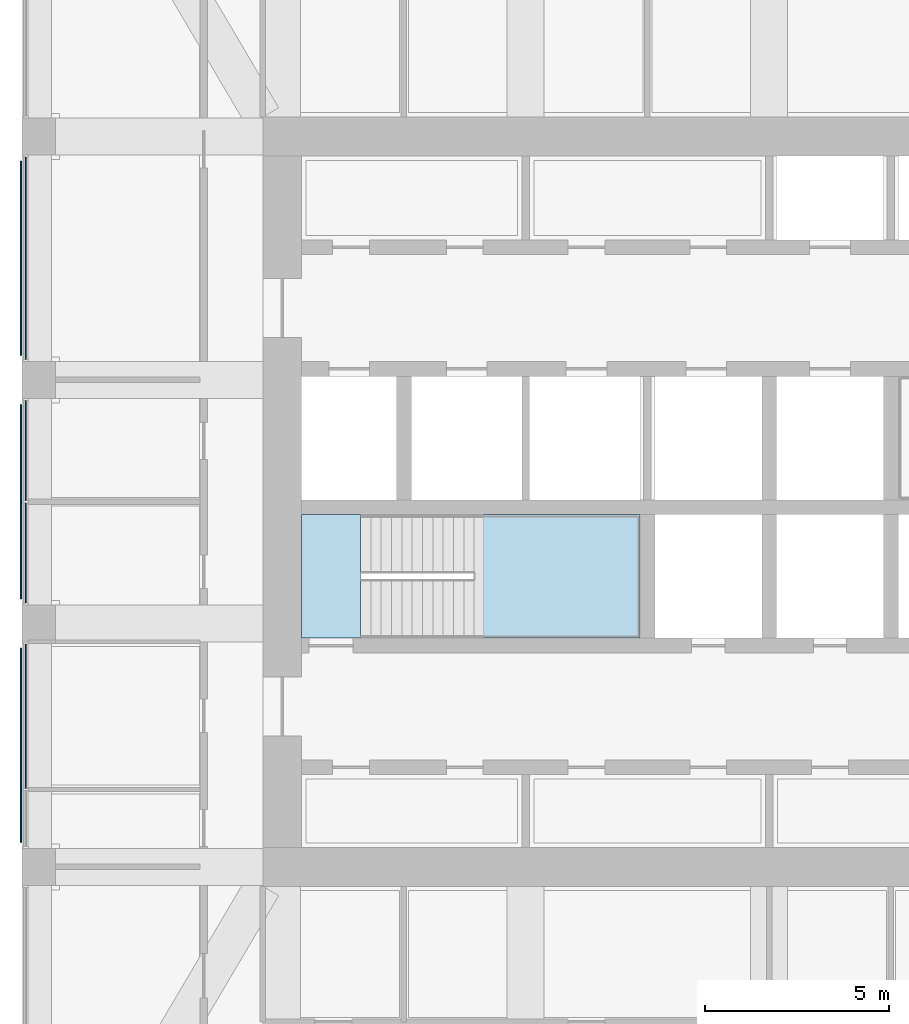
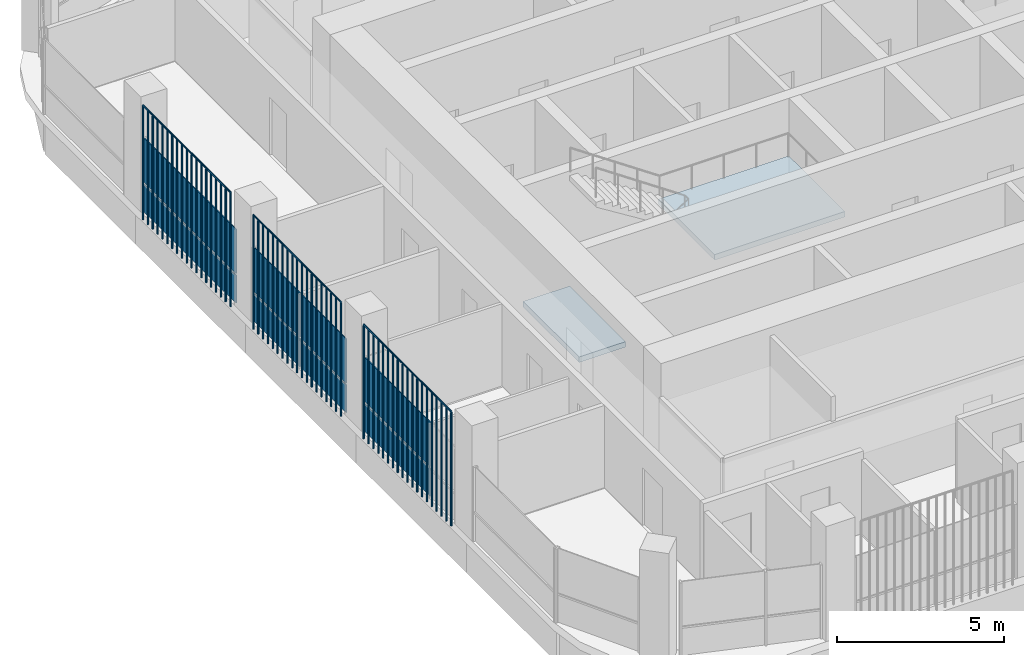
# One storey, part 9 of 21: 11 plates, 2 slabs, 4 elements without a shape of their own.
"""IFC4 building model written with IfcOpenShell, lengths in metres."""

from ifc_helpers import new_model, si_unit, direction, frame, origin, origin_2d, place, context, subcontext, project, spatial, polyline, rectangle, outline, extrude, material, layer, layer_set, type_object, element, aggregate, save


model = new_model("IFC4")

# Units and contexts
model_context = context("Model", 3, precision=1e-05, world=origin(), true_north=direction((0.0, 1.0)))
body_context = subcontext(model_context, "Body", "Model", "MODEL_VIEW")
ifc_project = project(units=[si_unit("LENGTHUNIT", "METRE"), si_unit("AREAUNIT", "SQUARE_METRE"), si_unit("VOLUMEUNIT", "CUBIC_METRE"), si_unit("PLANEANGLEUNIT", "RADIAN"), si_unit("MASSUNIT", "GRAM", prefix="KILO")], contexts=[model_context])

# Site, building, storey
site_placement = place(None, origin())
site = spatial("IfcSite", under=ifc_project, at=site_placement, CompositionType="ELEMENT")
building_placement = place(site_placement, origin())
building = spatial("IfcBuilding", under=site, at=building_placement, Name="Cobogo Forest Laboratory Tower", CompositionType="ELEMENT")
storey_placement = place(building_placement, frame((0.0, 0.0, 258.60009765625)))
storey = spatial("IfcBuildingStorey", under=building, at=storey_placement, Name="L59", CompositionType="ELEMENT", Elevation=258.60009765625)

# Curtain wall, plates
ifc_material_1 = material(Name="Aluminium curtain wall", Category="aluminium")
curtain_wall_type = type_object("IfcCurtainWallType", Name="CW-2 unitised curtain wall, solar control glazing, laboratory floors zones C and D", PredefinedType="USERDEFINED", material=ifc_material_1)
curtain_wall_1_placement = place(storey_placement, origin())
curtain_wall_1 = element("IfcCurtainWall", 1, at=curtain_wall_1_placement, inside=storey, type_object=curtain_wall_type, Name="Curtain wall 21 L59", ObjectType="UNITISED CURTAIN WALL", PredefinedType="USERDEFINED")
ifc_material_2 = material(Name="Solar control insulated glass", Category="glass")
ifc_layer_1 = layer(ifc_material_2, 0.031982421875)
ifc_layer_set_1 = layer_set([ifc_layer_1], Name="GP-2 solar control glass unit 32")
plate_type_1 = type_object("IfcPlateType", Name="GP-2 solar control glass unit 32", PredefinedType="CURTAIN_PANEL", material=ifc_layer_set_1)
plate_1_placement = place(storey_placement, frame((6.25, 29.699951171875, 0.0), z_axis=(0.0, 0.0, 1.0), x_axis=(0.0, -1.0, 0.0)))
plate_1 = element("IfcPlate", 2, at=plate_1_placement, type_object=plate_type_1, Name="CW-2 panel 1.1", PredefinedType="CURTAIN_PANEL", context=body_context, shape_type="SweptSolid", body=[
    extrude(rectangle(XDim=5.47998046875, YDim=0.031982421875, at=origin_2d()), origin(), (0.0, 0.0, 1.0), 1.02001953125),
])
plate_2_placement = place(storey_placement, frame((6.25, 29.699951171875, 1.079833984375), z_axis=(0.0, 0.0, 1.0), x_axis=(0.0, -1.0, 0.0)))
plate_2 = element("IfcPlate", 3, at=plate_2_placement, type_object=plate_type_1, Name="CW-2 panel 1.2", PredefinedType="CURTAIN_PANEL", context=body_context, shape_type="SweptSolid", body=[
    extrude(rectangle(XDim=5.47998046875, YDim=0.031982421875, at=origin_2d()), origin(), (0.0, 0.0, 1.0), 1.6201171875),
])
aggregate(curtain_wall_1, [plate_1, plate_2])

curtain_wall_2_placement = place(storey_placement, origin())
curtain_wall_2 = element("IfcCurtainWall", 4, at=curtain_wall_2_placement, inside=storey, type_object=curtain_wall_type, Name="Curtain wall 22 L59", ObjectType="UNITISED CURTAIN WALL", PredefinedType="USERDEFINED")
plate_3_placement = place(storey_placement, frame((6.25, 24.485107421875, 0.0), z_axis=(0.0, 0.0, 1.0), x_axis=(0.0, -1.0, 0.0)))
plate_3 = element("IfcPlate", 5, at=plate_3_placement, type_object=plate_type_1, Name="CW-2 panel 1.1", PredefinedType="CURTAIN_PANEL", context=body_context, shape_type="SweptSolid", body=[
    extrude(rectangle(XDim=2.7099609375, YDim=0.031982421875, at=origin_2d()), origin(), (0.0, 0.0, 1.0), 1.02001953125),
])
plate_4_placement = place(storey_placement, frame((6.25, 24.485107421875, 1.079833984375), z_axis=(0.0, 0.0, 1.0), x_axis=(0.0, -1.0, 0.0)))
plate_4 = element("IfcPlate", 6, at=plate_4_placement, type_object=plate_type_1, Name="CW-2 panel 1.2", PredefinedType="CURTAIN_PANEL", context=body_context, shape_type="SweptSolid", body=[
    extrude(rectangle(XDim=2.7099609375, YDim=0.031982421875, at=origin_2d()), origin(), (0.0, 0.0, 1.0), 1.6201171875),
])
plate_5_placement = place(storey_placement, frame((6.25, 21.715087890625, 0.0), z_axis=(0.0, 0.0, 1.0), x_axis=(0.0, -1.0, 0.0)))
plate_5 = element("IfcPlate", 7, at=plate_5_placement, type_object=plate_type_1, Name="CW-2 panel 2.1", PredefinedType="CURTAIN_PANEL", context=body_context, shape_type="SweptSolid", body=[
    extrude(rectangle(XDim=2.7099609375, YDim=0.031982421875, at=origin_2d()), origin(), (0.0, 0.0, 1.0), 1.02001953125),
])
plate_6_placement = place(storey_placement, frame((6.25, 21.715087890625, 1.079833984375), z_axis=(0.0, 0.0, 1.0), x_axis=(0.0, -1.0, 0.0)))
plate_6 = element("IfcPlate", 8, at=plate_6_placement, type_object=plate_type_1, Name="CW-2 panel 2.2", PredefinedType="CURTAIN_PANEL", context=body_context, shape_type="SweptSolid", body=[
    extrude(rectangle(XDim=2.7099609375, YDim=0.031982421875, at=origin_2d()), origin(), (0.0, 0.0, 1.0), 1.6201171875),
])
aggregate(curtain_wall_2, [plate_3, plate_4, plate_5, plate_6])

curtain_wall_3_placement = place(storey_placement, origin())
curtain_wall_3 = element("IfcCurtainWall", 9, at=curtain_wall_3_placement, inside=storey, type_object=curtain_wall_type, Name="Curtain wall 23 L59", ObjectType="UNITISED CURTAIN WALL", PredefinedType="USERDEFINED")
plate_7_placement = place(storey_placement, frame((6.25, 17.284912109375, 0.0), z_axis=(0.0, 0.0, 1.0), x_axis=(0.0, -1.0, 0.0)))
plate_7 = element("IfcPlate", 10, at=plate_7_placement, type_object=plate_type_1, Name="CW-2 panel 1.1", PredefinedType="CURTAIN_PANEL", context=body_context, shape_type="SweptSolid", body=[
    extrude(rectangle(XDim=3.909912109375, YDim=0.031982421875, at=origin_2d()), origin(), (0.0, 0.0, 1.0), 1.02001953125),
])
plate_8_placement = place(storey_placement, frame((6.25, 17.284912109375, 1.079833984375), z_axis=(0.0, 0.0, 1.0), x_axis=(0.0, -1.0, 0.0)))
plate_8 = element("IfcPlate", 11, at=plate_8_placement, type_object=plate_type_1, Name="CW-2 panel 1.2", PredefinedType="CURTAIN_PANEL", context=body_context, shape_type="SweptSolid", body=[
    extrude(rectangle(XDim=3.909912109375, YDim=0.031982421875, at=origin_2d()), origin(), (0.0, 0.0, 1.0), 1.6201171875),
])
aggregate(curtain_wall_3, [plate_7, plate_8])

# Stair, slabs
ifc_material_3 = material(Name="Precast concrete HA-40 (C40/50)", Category="concrete")
stair_type = type_object("IfcStairType", Name="ST24 exit stair 24 risers", PredefinedType="HALF_TURN_STAIR", material=ifc_material_3)
stair_placement = place(storey_placement, origin())
stair = element("IfcStair", 12, at=stair_placement, inside=storey, type_object=stair_type, Name="Stair 1 L59 to L60", PredefinedType="HALF_TURN_STAIR")
ifc_material_4 = material(Name="Concrete HA-40 (C40/50)", Category="concrete")
ifc_layer_2 = layer(ifc_material_4, 0.199951171875)
ifc_layer_set_2 = layer_set([ifc_layer_2], Name="SL stair landing 200")
slab_type = type_object("IfcSlabType", Name="SL stair landing 200", PredefinedType="LANDING", material=ifc_layer_set_2)
slab_1_placement = place(storey_placement, frame((0.0, 0.0, -0.2001953125)))
slab_1 = element("IfcSlab", 13, at=slab_1_placement, type_object=slab_type, Name="ST1 landing 1", PredefinedType="LANDING", context=body_context, shape_type="SweptSolid", body=[
    extrude(outline(polyline([(13.72509765625, 19.39990234375), (15.326904296875, 19.39990234375), (15.326904296875, 22.75), (13.72509765625, 22.75), (13.72509765625, 19.39990234375)])), origin(), (0.0, 0.0, 1.0), 0.2001953125),
])
slab_2_placement = place(storey_placement, frame((0.0, 0.0, 1.89990234375)))
slab_2 = element("IfcSlab", 14, at=slab_2_placement, type_object=slab_type, Name="ST1 landing 2", PredefinedType="LANDING", context=body_context, shape_type="SweptSolid", body=[
    extrude(outline(polyline([(18.403076171875, 19.39990234375), (22.89990234375, 19.39990234375), (22.89990234375, 22.75), (18.403076171875, 22.75), (18.403076171875, 19.39990234375)])), origin(), (0.0, 0.0, 1.0), 0.199951171875),
])
aggregate(stair, [slab_1, slab_2])

# Plates
ifc_material_5 = material(Name="Terracotta", Category="masonry")
plate_type_2 = type_object("IfcPlateType", Name="TB1 terracotta baguette screen", PredefinedType="USERDEFINED", material=ifc_material_5)
plate_9_placement = place(storey_placement, frame((6.1220703125, 13.88134765625, -0.150146484375)))
element("IfcPlate", 15, at=plate_9_placement, inside=storey, type_object=plate_type_2, Name="Baguette screen W1 L59", ObjectType="BAGUETTE SCREEN", PredefinedType="USERDEFINED", context=body_context, shape_type="SweptSolid", body=[
    extrude(outline(polyline([(0.02880859375, 0.011962890625), (0.011962890625, 0.02880859375), (-0.011962890625, 0.02880859375), (-0.02880859375, 0.011962890625), (-0.02880859375, -0.011962890625), (-0.011962890625, -0.02880859375), (0.011962890625, -0.02880859375), (0.02880859375, -0.011962890625), (0.02880859375, 0.011962890625)])), frame((0.0, 0.0, 4.168701171875), z_axis=(0.0, 1.0, 0.0), x_axis=(-1.0, 0.0, 0.0)), (0.0, 0.0, 1.0), 5.2373046875),
    extrude(outline(polyline([(0.02880859375, 0.011962890625), (0.011962890625, 0.02880859375), (-0.011962890625, 0.02880859375), (-0.02880859375, 0.011962890625), (-0.02880859375, -0.011962890625), (-0.011962890625, -0.02880859375), (0.011962890625, -0.02880859375), (0.02880859375, -0.011962890625), (0.02880859375, 0.011962890625)])), origin(), (0.0, 0.0, 1.0), 4.137451171875),
    extrude(outline(polyline([(0.02880859375, 0.011962890625), (0.011962890625, 0.02880859375), (-0.011962890625, 0.02880859375), (-0.02880859375, 0.011962890625), (-0.02880859375, -0.011962890625), (-0.011962890625, -0.02880859375), (0.011962890625, -0.02880859375), (0.02880859375, -0.011962890625), (0.02880859375, 0.011962890625)])), frame((0.0, 0.291015625, 0.0)), (0.0, 0.0, 1.0), 4.137451171875),
    extrude(outline(polyline([(0.02880859375, 0.011962890625), (0.011962890625, 0.02880859375), (-0.011962890625, 0.02880859375), (-0.02880859375, 0.011962890625), (-0.02880859375, -0.011962890625), (-0.011962890625, -0.02880859375), (0.011962890625, -0.02880859375), (0.02880859375, -0.011962890625), (0.02880859375, 0.011962890625)])), frame((0.0, 0.58203125, 0.0)), (0.0, 0.0, 1.0), 4.137451171875),
    extrude(outline(polyline([(0.02880859375, 0.011962890625), (0.011962890625, 0.02880859375), (-0.011962890625, 0.02880859375), (-0.02880859375, 0.011962890625), (-0.02880859375, -0.011962890625), (-0.011962890625, -0.02880859375), (0.011962890625, -0.02880859375), (0.02880859375, -0.011962890625), (0.02880859375, 0.011962890625)])), frame((0.0, 0.872802734375, 0.0)), (0.0, 0.0, 1.0), 4.137451171875),
    extrude(outline(polyline([(0.02880859375, 0.011962890625), (0.011962890625, 0.02880859375), (-0.011962890625, 0.02880859375), (-0.02880859375, 0.011962890625), (-0.02880859375, -0.011962890625), (-0.011962890625, -0.02880859375), (0.011962890625, -0.02880859375), (0.02880859375, -0.011962890625), (0.02880859375, 0.011962890625)])), frame((0.0, 1.163818359375, 0.0)), (0.0, 0.0, 1.0), 4.137451171875),
    extrude(outline(polyline([(0.02880859375, 0.011962890625), (0.011962890625, 0.02880859375), (-0.011962890625, 0.02880859375), (-0.02880859375, 0.011962890625), (-0.02880859375, -0.011962890625), (-0.011962890625, -0.02880859375), (0.011962890625, -0.02880859375), (0.02880859375, -0.011962890625), (0.02880859375, 0.011962890625)])), frame((0.0, 1.454833984375, 0.0)), (0.0, 0.0, 1.0), 4.137451171875),
    extrude(outline(polyline([(0.02880859375, 0.011962890625), (0.011962890625, 0.02880859375), (-0.011962890625, 0.02880859375), (-0.02880859375, 0.011962890625), (-0.02880859375, -0.011962890625), (-0.011962890625, -0.02880859375), (0.011962890625, -0.02880859375), (0.02880859375, -0.011962890625), (0.02880859375, 0.011962890625)])), frame((0.0, 1.745849609375, 0.0)), (0.0, 0.0, 1.0), 4.137451171875),
    extrude(outline(polyline([(0.02880859375, 0.011962890625), (0.011962890625, 0.02880859375), (-0.011962890625, 0.02880859375), (-0.02880859375, 0.011962890625), (-0.02880859375, -0.011962890625), (-0.011962890625, -0.02880859375), (0.011962890625, -0.02880859375), (0.02880859375, -0.011962890625), (0.02880859375, 0.011962890625)])), frame((0.0, 2.03662109375, 0.0)), (0.0, 0.0, 1.0), 4.137451171875),
    extrude(outline(polyline([(0.02880859375, 0.011962890625), (0.011962890625, 0.02880859375), (-0.011962890625, 0.02880859375), (-0.02880859375, 0.011962890625), (-0.02880859375, -0.011962890625), (-0.011962890625, -0.02880859375), (0.011962890625, -0.02880859375), (0.02880859375, -0.011962890625), (0.02880859375, 0.011962890625)])), frame((0.0, 2.32763671875, 0.0)), (0.0, 0.0, 1.0), 4.137451171875),
    extrude(outline(polyline([(0.02880859375, 0.011962890625), (0.011962890625, 0.02880859375), (-0.011962890625, 0.02880859375), (-0.02880859375, 0.011962890625), (-0.02880859375, -0.011962890625), (-0.011962890625, -0.02880859375), (0.011962890625, -0.02880859375), (0.02880859375, -0.011962890625), (0.02880859375, 0.011962890625)])), frame((0.0, 2.61865234375, 0.0)), (0.0, 0.0, 1.0), 4.137451171875),
    extrude(outline(polyline([(0.02880859375, 0.011962890625), (0.011962890625, 0.02880859375), (-0.011962890625, 0.02880859375), (-0.02880859375, 0.011962890625), (-0.02880859375, -0.011962890625), (-0.011962890625, -0.02880859375), (0.011962890625, -0.02880859375), (0.02880859375, -0.011962890625), (0.02880859375, 0.011962890625)])), frame((0.0, 2.90966796875, 0.0)), (0.0, 0.0, 1.0), 4.137451171875),
    extrude(outline(polyline([(0.02880859375, 0.011962890625), (0.011962890625, 0.02880859375), (-0.011962890625, 0.02880859375), (-0.02880859375, 0.011962890625), (-0.02880859375, -0.011962890625), (-0.011962890625, -0.02880859375), (0.011962890625, -0.02880859375), (0.02880859375, -0.011962890625), (0.02880859375, 0.011962890625)])), frame((0.0, 3.20068359375, 0.0)), (0.0, 0.0, 1.0), 4.137451171875),
    extrude(outline(polyline([(0.02880859375, 0.011962890625), (0.011962890625, 0.02880859375), (-0.011962890625, 0.02880859375), (-0.02880859375, 0.011962890625), (-0.02880859375, -0.011962890625), (-0.011962890625, -0.02880859375), (0.011962890625, -0.02880859375), (0.02880859375, -0.011962890625), (0.02880859375, 0.011962890625)])), frame((0.0, 3.491455078125, 0.0)), (0.0, 0.0, 1.0), 4.137451171875),
    extrude(outline(polyline([(0.02880859375, 0.011962890625), (0.011962890625, 0.02880859375), (-0.011962890625, 0.02880859375), (-0.02880859375, 0.011962890625), (-0.02880859375, -0.011962890625), (-0.011962890625, -0.02880859375), (0.011962890625, -0.02880859375), (0.02880859375, -0.011962890625), (0.02880859375, 0.011962890625)])), frame((0.0, 3.782470703125, 0.0)), (0.0, 0.0, 1.0), 4.137451171875),
    extrude(outline(polyline([(0.02880859375, 0.011962890625), (0.011962890625, 0.02880859375), (-0.011962890625, 0.02880859375), (-0.02880859375, 0.011962890625), (-0.02880859375, -0.011962890625), (-0.011962890625, -0.02880859375), (0.011962890625, -0.02880859375), (0.02880859375, -0.011962890625), (0.02880859375, 0.011962890625)])), frame((0.0, 4.073486328125, 0.0)), (0.0, 0.0, 1.0), 4.137451171875),
    extrude(outline(polyline([(0.02880859375, 0.011962890625), (0.011962890625, 0.02880859375), (-0.011962890625, 0.02880859375), (-0.02880859375, 0.011962890625), (-0.02880859375, -0.011962890625), (-0.011962890625, -0.02880859375), (0.011962890625, -0.02880859375), (0.02880859375, -0.011962890625), (0.02880859375, 0.011962890625)])), frame((0.0, 4.364501953125, 0.0)), (0.0, 0.0, 1.0), 4.137451171875),
    extrude(outline(polyline([(0.02880859375, 0.011962890625), (0.011962890625, 0.02880859375), (-0.011962890625, 0.02880859375), (-0.02880859375, 0.011962890625), (-0.02880859375, -0.011962890625), (-0.011962890625, -0.02880859375), (0.011962890625, -0.02880859375), (0.02880859375, -0.011962890625), (0.02880859375, 0.011962890625)])), frame((0.0, 4.6552734375, 0.0)), (0.0, 0.0, 1.0), 4.137451171875),
    extrude(outline(polyline([(0.02880859375, 0.011962890625), (0.011962890625, 0.02880859375), (-0.011962890625, 0.02880859375), (-0.02880859375, 0.011962890625), (-0.02880859375, -0.011962890625), (-0.011962890625, -0.02880859375), (0.011962890625, -0.02880859375), (0.02880859375, -0.011962890625), (0.02880859375, 0.011962890625)])), frame((0.0, 4.9462890625, 0.0)), (0.0, 0.0, 1.0), 4.137451171875),
    extrude(outline(polyline([(0.02880859375, 0.011962890625), (0.011962890625, 0.02880859375), (-0.011962890625, 0.02880859375), (-0.02880859375, 0.011962890625), (-0.02880859375, -0.011962890625), (-0.011962890625, -0.02880859375), (0.011962890625, -0.02880859375), (0.02880859375, -0.011962890625), (0.02880859375, 0.011962890625)])), frame((0.0, 5.2373046875, 0.0)), (0.0, 0.0, 1.0), 4.137451171875),
])
plate_10_placement = place(storey_placement, frame((6.1220703125, 20.481201171875, -0.150146484375)))
element("IfcPlate", 16, at=plate_10_placement, inside=storey, type_object=plate_type_2, Name="Baguette screen W2 L59", ObjectType="BAGUETTE SCREEN", PredefinedType="USERDEFINED", context=body_context, shape_type="SweptSolid", body=[
    extrude(outline(polyline([(0.02880859375, 0.011962890625), (0.011962890625, 0.02880859375), (-0.011962890625, 0.02880859375), (-0.02880859375, 0.011962890625), (-0.02880859375, -0.011962890625), (-0.011962890625, -0.02880859375), (0.011962890625, -0.02880859375), (0.02880859375, -0.011962890625), (0.02880859375, 0.011962890625)])), frame((0.0, 0.0, 4.168701171875), z_axis=(0.0, 1.0, 0.0), x_axis=(-1.0, 0.0, 0.0)), (0.0, 0.0, 1.0), 5.237548828125),
    extrude(outline(polyline([(0.02880859375, 0.011962890625), (0.011962890625, 0.02880859375), (-0.011962890625, 0.02880859375), (-0.02880859375, 0.011962890625), (-0.02880859375, -0.011962890625), (-0.011962890625, -0.02880859375), (0.011962890625, -0.02880859375), (0.02880859375, -0.011962890625), (0.02880859375, 0.011962890625)])), origin(), (0.0, 0.0, 1.0), 4.137451171875),
    extrude(outline(polyline([(0.02880859375, 0.011962890625), (0.011962890625, 0.02880859375), (-0.011962890625, 0.02880859375), (-0.02880859375, 0.011962890625), (-0.02880859375, -0.011962890625), (-0.011962890625, -0.02880859375), (0.011962890625, -0.02880859375), (0.02880859375, -0.011962890625), (0.02880859375, 0.011962890625)])), frame((0.0, 0.291015625, 0.0)), (0.0, 0.0, 1.0), 4.137451171875),
    extrude(outline(polyline([(0.02880859375, 0.011962890625), (0.011962890625, 0.02880859375), (-0.011962890625, 0.02880859375), (-0.02880859375, 0.011962890625), (-0.02880859375, -0.011962890625), (-0.011962890625, -0.02880859375), (0.011962890625, -0.02880859375), (0.02880859375, -0.011962890625), (0.02880859375, 0.011962890625)])), frame((0.0, 0.58203125, 0.0)), (0.0, 0.0, 1.0), 4.137451171875),
    extrude(outline(polyline([(0.02880859375, 0.011962890625), (0.011962890625, 0.02880859375), (-0.011962890625, 0.02880859375), (-0.02880859375, 0.011962890625), (-0.02880859375, -0.011962890625), (-0.011962890625, -0.02880859375), (0.011962890625, -0.02880859375), (0.02880859375, -0.011962890625), (0.02880859375, 0.011962890625)])), frame((0.0, 0.873046875, 0.0)), (0.0, 0.0, 1.0), 4.137451171875),
    extrude(outline(polyline([(0.02880859375, 0.011962890625), (0.011962890625, 0.02880859375), (-0.011962890625, 0.02880859375), (-0.02880859375, 0.011962890625), (-0.02880859375, -0.011962890625), (-0.011962890625, -0.02880859375), (0.011962890625, -0.02880859375), (0.02880859375, -0.011962890625), (0.02880859375, 0.011962890625)])), frame((0.0, 1.163818359375, 0.0)), (0.0, 0.0, 1.0), 4.137451171875),
    extrude(outline(polyline([(0.02880859375, 0.011962890625), (0.011962890625, 0.02880859375), (-0.011962890625, 0.02880859375), (-0.02880859375, 0.011962890625), (-0.02880859375, -0.011962890625), (-0.011962890625, -0.02880859375), (0.011962890625, -0.02880859375), (0.02880859375, -0.011962890625), (0.02880859375, 0.011962890625)])), frame((0.0, 1.454833984375, 0.0)), (0.0, 0.0, 1.0), 4.137451171875),
    extrude(outline(polyline([(0.02880859375, 0.011962890625), (0.011962890625, 0.02880859375), (-0.011962890625, 0.02880859375), (-0.02880859375, 0.011962890625), (-0.02880859375, -0.011962890625), (-0.011962890625, -0.02880859375), (0.011962890625, -0.02880859375), (0.02880859375, -0.011962890625), (0.02880859375, 0.011962890625)])), frame((0.0, 1.745849609375, 0.0)), (0.0, 0.0, 1.0), 4.137451171875),
    extrude(outline(polyline([(0.02880859375, 0.011962890625), (0.011962890625, 0.02880859375), (-0.011962890625, 0.02880859375), (-0.02880859375, 0.011962890625), (-0.02880859375, -0.011962890625), (-0.011962890625, -0.02880859375), (0.011962890625, -0.02880859375), (0.02880859375, -0.011962890625), (0.02880859375, 0.011962890625)])), frame((0.0, 2.036865234375, 0.0)), (0.0, 0.0, 1.0), 4.137451171875),
    extrude(outline(polyline([(0.02880859375, 0.011962890625), (0.011962890625, 0.02880859375), (-0.011962890625, 0.02880859375), (-0.02880859375, 0.011962890625), (-0.02880859375, -0.011962890625), (-0.011962890625, -0.02880859375), (0.011962890625, -0.02880859375), (0.02880859375, -0.011962890625), (0.02880859375, 0.011962890625)])), frame((0.0, 2.327880859375, 0.0)), (0.0, 0.0, 1.0), 4.137451171875),
    extrude(outline(polyline([(0.02880859375, 0.011962890625), (0.011962890625, 0.02880859375), (-0.011962890625, 0.02880859375), (-0.02880859375, 0.011962890625), (-0.02880859375, -0.011962890625), (-0.011962890625, -0.02880859375), (0.011962890625, -0.02880859375), (0.02880859375, -0.011962890625), (0.02880859375, 0.011962890625)])), frame((0.0, 2.61865234375, 0.0)), (0.0, 0.0, 1.0), 4.137451171875),
    extrude(outline(polyline([(0.02880859375, 0.011962890625), (0.011962890625, 0.02880859375), (-0.011962890625, 0.02880859375), (-0.02880859375, 0.011962890625), (-0.02880859375, -0.011962890625), (-0.011962890625, -0.02880859375), (0.011962890625, -0.02880859375), (0.02880859375, -0.011962890625), (0.02880859375, 0.011962890625)])), frame((0.0, 2.90966796875, 0.0)), (0.0, 0.0, 1.0), 4.137451171875),
    extrude(outline(polyline([(0.02880859375, 0.011962890625), (0.011962890625, 0.02880859375), (-0.011962890625, 0.02880859375), (-0.02880859375, 0.011962890625), (-0.02880859375, -0.011962890625), (-0.011962890625, -0.02880859375), (0.011962890625, -0.02880859375), (0.02880859375, -0.011962890625), (0.02880859375, 0.011962890625)])), frame((0.0, 3.20068359375, 0.0)), (0.0, 0.0, 1.0), 4.137451171875),
    extrude(outline(polyline([(0.02880859375, 0.011962890625), (0.011962890625, 0.02880859375), (-0.011962890625, 0.02880859375), (-0.02880859375, 0.011962890625), (-0.02880859375, -0.011962890625), (-0.011962890625, -0.02880859375), (0.011962890625, -0.02880859375), (0.02880859375, -0.011962890625), (0.02880859375, 0.011962890625)])), frame((0.0, 3.49169921875, 0.0)), (0.0, 0.0, 1.0), 4.137451171875),
    extrude(outline(polyline([(0.02880859375, 0.011962890625), (0.011962890625, 0.02880859375), (-0.011962890625, 0.02880859375), (-0.02880859375, 0.011962890625), (-0.02880859375, -0.011962890625), (-0.011962890625, -0.02880859375), (0.011962890625, -0.02880859375), (0.02880859375, -0.011962890625), (0.02880859375, 0.011962890625)])), frame((0.0, 3.78271484375, 0.0)), (0.0, 0.0, 1.0), 4.137451171875),
    extrude(outline(polyline([(0.02880859375, 0.011962890625), (0.011962890625, 0.02880859375), (-0.011962890625, 0.02880859375), (-0.02880859375, 0.011962890625), (-0.02880859375, -0.011962890625), (-0.011962890625, -0.02880859375), (0.011962890625, -0.02880859375), (0.02880859375, -0.011962890625), (0.02880859375, 0.011962890625)])), frame((0.0, 4.07373046875, 0.0)), (0.0, 0.0, 1.0), 4.137451171875),
    extrude(outline(polyline([(0.02880859375, 0.011962890625), (0.011962890625, 0.02880859375), (-0.011962890625, 0.02880859375), (-0.02880859375, 0.011962890625), (-0.02880859375, -0.011962890625), (-0.011962890625, -0.02880859375), (0.011962890625, -0.02880859375), (0.02880859375, -0.011962890625), (0.02880859375, 0.011962890625)])), frame((0.0, 4.36474609375, 0.0)), (0.0, 0.0, 1.0), 4.137451171875),
    extrude(outline(polyline([(0.02880859375, 0.011962890625), (0.011962890625, 0.02880859375), (-0.011962890625, 0.02880859375), (-0.02880859375, 0.011962890625), (-0.02880859375, -0.011962890625), (-0.011962890625, -0.02880859375), (0.011962890625, -0.02880859375), (0.02880859375, -0.011962890625), (0.02880859375, 0.011962890625)])), frame((0.0, 4.655517578125, 0.0)), (0.0, 0.0, 1.0), 4.137451171875),
    extrude(outline(polyline([(0.02880859375, 0.011962890625), (0.011962890625, 0.02880859375), (-0.011962890625, 0.02880859375), (-0.02880859375, 0.011962890625), (-0.02880859375, -0.011962890625), (-0.011962890625, -0.02880859375), (0.011962890625, -0.02880859375), (0.02880859375, -0.011962890625), (0.02880859375, 0.011962890625)])), frame((0.0, 4.946533203125, 0.0)), (0.0, 0.0, 1.0), 4.137451171875),
    extrude(outline(polyline([(0.02880859375, 0.011962890625), (0.011962890625, 0.02880859375), (-0.011962890625, 0.02880859375), (-0.02880859375, 0.011962890625), (-0.02880859375, -0.011962890625), (-0.011962890625, -0.02880859375), (0.011962890625, -0.02880859375), (0.02880859375, -0.011962890625), (0.02880859375, 0.011962890625)])), frame((0.0, 5.237548828125, 0.0)), (0.0, 0.0, 1.0), 4.137451171875),
])
plate_11_placement = place(storey_placement, frame((6.1220703125, 27.081298828125, -0.150146484375)))
element("IfcPlate", 17, at=plate_11_placement, inside=storey, type_object=plate_type_2, Name="Baguette screen W3 L59", ObjectType="BAGUETTE SCREEN", PredefinedType="USERDEFINED", context=body_context, shape_type="SweptSolid", body=[
    extrude(outline(polyline([(0.02880859375, 0.011962890625), (0.011962890625, 0.02880859375), (-0.011962890625, 0.02880859375), (-0.02880859375, 0.011962890625), (-0.02880859375, -0.011962890625), (-0.011962890625, -0.02880859375), (0.011962890625, -0.02880859375), (0.02880859375, -0.011962890625), (0.02880859375, 0.011962890625)])), frame((0.0, 0.0, 4.168701171875), z_axis=(0.0, 1.0, 0.0), x_axis=(-1.0, 0.0, 0.0)), (0.0, 0.0, 1.0), 5.237548828125),
    extrude(outline(polyline([(0.02880859375, 0.011962890625), (0.011962890625, 0.02880859375), (-0.011962890625, 0.02880859375), (-0.02880859375, 0.011962890625), (-0.02880859375, -0.011962890625), (-0.011962890625, -0.02880859375), (0.011962890625, -0.02880859375), (0.02880859375, -0.011962890625), (0.02880859375, 0.011962890625)])), origin(), (0.0, 0.0, 1.0), 4.137451171875),
    extrude(outline(polyline([(0.02880859375, 0.011962890625), (0.011962890625, 0.02880859375), (-0.011962890625, 0.02880859375), (-0.02880859375, 0.011962890625), (-0.02880859375, -0.011962890625), (-0.011962890625, -0.02880859375), (0.011962890625, -0.02880859375), (0.02880859375, -0.011962890625), (0.02880859375, 0.011962890625)])), frame((0.0, 0.291015625, 0.0)), (0.0, 0.0, 1.0), 4.137451171875),
    extrude(outline(polyline([(0.02880859375, 0.011962890625), (0.011962890625, 0.02880859375), (-0.011962890625, 0.02880859375), (-0.02880859375, 0.011962890625), (-0.02880859375, -0.011962890625), (-0.011962890625, -0.02880859375), (0.011962890625, -0.02880859375), (0.02880859375, -0.011962890625), (0.02880859375, 0.011962890625)])), frame((0.0, 0.58203125, 0.0)), (0.0, 0.0, 1.0), 4.137451171875),
    extrude(outline(polyline([(0.02880859375, 0.011962890625), (0.011962890625, 0.02880859375), (-0.011962890625, 0.02880859375), (-0.02880859375, 0.011962890625), (-0.02880859375, -0.011962890625), (-0.011962890625, -0.02880859375), (0.011962890625, -0.02880859375), (0.02880859375, -0.011962890625), (0.02880859375, 0.011962890625)])), frame((0.0, 0.873046875, 0.0)), (0.0, 0.0, 1.0), 4.137451171875),
    extrude(outline(polyline([(0.02880859375, 0.011962890625), (0.011962890625, 0.02880859375), (-0.011962890625, 0.02880859375), (-0.02880859375, 0.011962890625), (-0.02880859375, -0.011962890625), (-0.011962890625, -0.02880859375), (0.011962890625, -0.02880859375), (0.02880859375, -0.011962890625), (0.02880859375, 0.011962890625)])), frame((0.0, 1.163818359375, 0.0)), (0.0, 0.0, 1.0), 4.137451171875),
    extrude(outline(polyline([(0.02880859375, 0.011962890625), (0.011962890625, 0.02880859375), (-0.011962890625, 0.02880859375), (-0.02880859375, 0.011962890625), (-0.02880859375, -0.011962890625), (-0.011962890625, -0.02880859375), (0.011962890625, -0.02880859375), (0.02880859375, -0.011962890625), (0.02880859375, 0.011962890625)])), frame((0.0, 1.454833984375, 0.0)), (0.0, 0.0, 1.0), 4.137451171875),
    extrude(outline(polyline([(0.02880859375, 0.011962890625), (0.011962890625, 0.02880859375), (-0.011962890625, 0.02880859375), (-0.02880859375, 0.011962890625), (-0.02880859375, -0.011962890625), (-0.011962890625, -0.02880859375), (0.011962890625, -0.02880859375), (0.02880859375, -0.011962890625), (0.02880859375, 0.011962890625)])), frame((0.0, 1.745849609375, 0.0)), (0.0, 0.0, 1.0), 4.137451171875),
    extrude(outline(polyline([(0.02880859375, 0.011962890625), (0.011962890625, 0.02880859375), (-0.011962890625, 0.02880859375), (-0.02880859375, 0.011962890625), (-0.02880859375, -0.011962890625), (-0.011962890625, -0.02880859375), (0.011962890625, -0.02880859375), (0.02880859375, -0.011962890625), (0.02880859375, 0.011962890625)])), frame((0.0, 2.036865234375, 0.0)), (0.0, 0.0, 1.0), 4.137451171875),
    extrude(outline(polyline([(0.02880859375, 0.011962890625), (0.011962890625, 0.02880859375), (-0.011962890625, 0.02880859375), (-0.02880859375, 0.011962890625), (-0.02880859375, -0.011962890625), (-0.011962890625, -0.02880859375), (0.011962890625, -0.02880859375), (0.02880859375, -0.011962890625), (0.02880859375, 0.011962890625)])), frame((0.0, 2.327880859375, 0.0)), (0.0, 0.0, 1.0), 4.137451171875),
    extrude(outline(polyline([(0.02880859375, 0.011962890625), (0.011962890625, 0.02880859375), (-0.011962890625, 0.02880859375), (-0.02880859375, 0.011962890625), (-0.02880859375, -0.011962890625), (-0.011962890625, -0.02880859375), (0.011962890625, -0.02880859375), (0.02880859375, -0.011962890625), (0.02880859375, 0.011962890625)])), frame((0.0, 2.61865234375, 0.0)), (0.0, 0.0, 1.0), 4.137451171875),
    extrude(outline(polyline([(0.02880859375, 0.011962890625), (0.011962890625, 0.02880859375), (-0.011962890625, 0.02880859375), (-0.02880859375, 0.011962890625), (-0.02880859375, -0.011962890625), (-0.011962890625, -0.02880859375), (0.011962890625, -0.02880859375), (0.02880859375, -0.011962890625), (0.02880859375, 0.011962890625)])), frame((0.0, 2.90966796875, 0.0)), (0.0, 0.0, 1.0), 4.137451171875),
    extrude(outline(polyline([(0.02880859375, 0.011962890625), (0.011962890625, 0.02880859375), (-0.011962890625, 0.02880859375), (-0.02880859375, 0.011962890625), (-0.02880859375, -0.011962890625), (-0.011962890625, -0.02880859375), (0.011962890625, -0.02880859375), (0.02880859375, -0.011962890625), (0.02880859375, 0.011962890625)])), frame((0.0, 3.20068359375, 0.0)), (0.0, 0.0, 1.0), 4.137451171875),
    extrude(outline(polyline([(0.02880859375, 0.011962890625), (0.011962890625, 0.02880859375), (-0.011962890625, 0.02880859375), (-0.02880859375, 0.011962890625), (-0.02880859375, -0.011962890625), (-0.011962890625, -0.02880859375), (0.011962890625, -0.02880859375), (0.02880859375, -0.011962890625), (0.02880859375, 0.011962890625)])), frame((0.0, 3.49169921875, 0.0)), (0.0, 0.0, 1.0), 4.137451171875),
    extrude(outline(polyline([(0.02880859375, 0.011962890625), (0.011962890625, 0.02880859375), (-0.011962890625, 0.02880859375), (-0.02880859375, 0.011962890625), (-0.02880859375, -0.011962890625), (-0.011962890625, -0.02880859375), (0.011962890625, -0.02880859375), (0.02880859375, -0.011962890625), (0.02880859375, 0.011962890625)])), frame((0.0, 3.78271484375, 0.0)), (0.0, 0.0, 1.0), 4.137451171875),
    extrude(outline(polyline([(0.02880859375, 0.011962890625), (0.011962890625, 0.02880859375), (-0.011962890625, 0.02880859375), (-0.02880859375, 0.011962890625), (-0.02880859375, -0.011962890625), (-0.011962890625, -0.02880859375), (0.011962890625, -0.02880859375), (0.02880859375, -0.011962890625), (0.02880859375, 0.011962890625)])), frame((0.0, 4.07373046875, 0.0)), (0.0, 0.0, 1.0), 4.137451171875),
    extrude(outline(polyline([(0.02880859375, 0.011962890625), (0.011962890625, 0.02880859375), (-0.011962890625, 0.02880859375), (-0.02880859375, 0.011962890625), (-0.02880859375, -0.011962890625), (-0.011962890625, -0.02880859375), (0.011962890625, -0.02880859375), (0.02880859375, -0.011962890625), (0.02880859375, 0.011962890625)])), frame((0.0, 4.36474609375, 0.0)), (0.0, 0.0, 1.0), 4.137451171875),
    extrude(outline(polyline([(0.02880859375, 0.011962890625), (0.011962890625, 0.02880859375), (-0.011962890625, 0.02880859375), (-0.02880859375, 0.011962890625), (-0.02880859375, -0.011962890625), (-0.011962890625, -0.02880859375), (0.011962890625, -0.02880859375), (0.02880859375, -0.011962890625), (0.02880859375, 0.011962890625)])), frame((0.0, 4.655517578125, 0.0)), (0.0, 0.0, 1.0), 4.137451171875),
    extrude(outline(polyline([(0.02880859375, 0.011962890625), (0.011962890625, 0.02880859375), (-0.011962890625, 0.02880859375), (-0.02880859375, 0.011962890625), (-0.02880859375, -0.011962890625), (-0.011962890625, -0.02880859375), (0.011962890625, -0.02880859375), (0.02880859375, -0.011962890625), (0.02880859375, 0.011962890625)])), frame((0.0, 4.946533203125, 0.0)), (0.0, 0.0, 1.0), 4.137451171875),
    extrude(outline(polyline([(0.02880859375, 0.011962890625), (0.011962890625, 0.02880859375), (-0.011962890625, 0.02880859375), (-0.02880859375, 0.011962890625), (-0.02880859375, -0.011962890625), (-0.011962890625, -0.02880859375), (0.011962890625, -0.02880859375), (0.02880859375, -0.011962890625), (0.02880859375, 0.011962890625)])), frame((0.0, 5.237548828125, 0.0)), (0.0, 0.0, 1.0), 4.137451171875),
])

save(model, "model.ifc")
